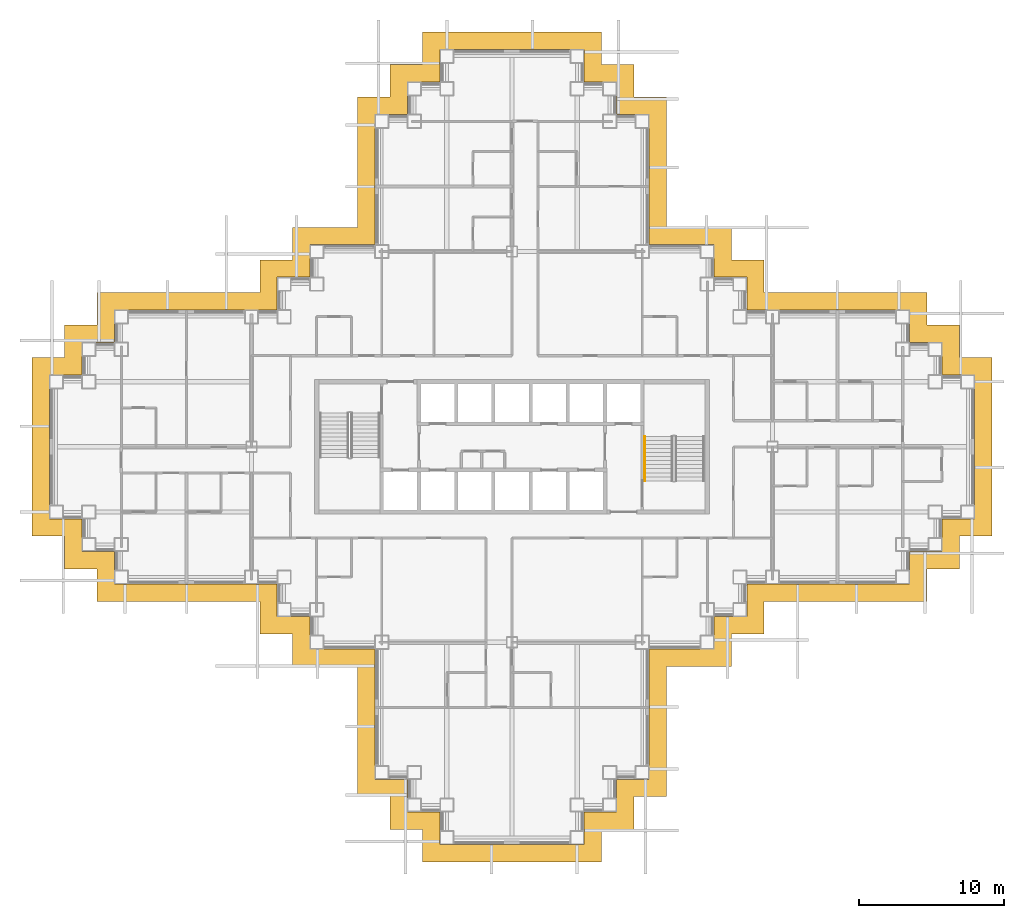
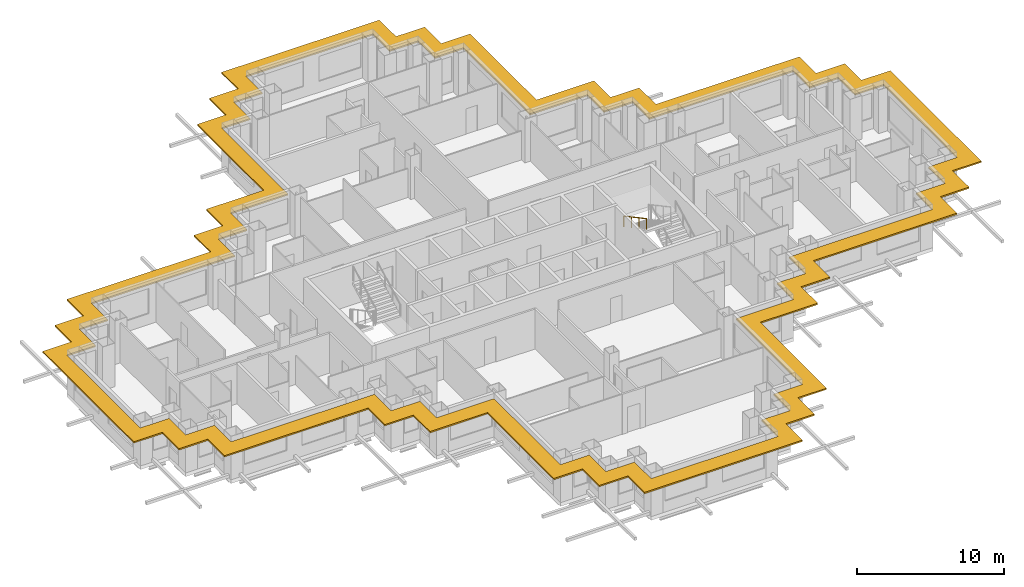
# One storey, part 14 of 15: 1 railing, 1 shading device.
"""IFC4 building model written with IfcOpenShell, lengths in metres."""

import ifcopenshell
import ifcopenshell.guid

model = None  # the IFC model being written
_history = None  # IfcOwnerHistory: only IFC2X3 demands one
_inside = {}  # id of a spatial element -> (the spatial element, [elements in it])
_under = {}  # id of a project, library or spatial element -> (it, [spatial elements below it])
_declared = {}  # id of a project -> (the project, [libraries it declares])
_typed = {}  # id of a type object -> (the type object, [elements of that type])
_made_of = {}  # id of a material, layer set ... -> (it, [elements and type objects made of it])


def new_model(schema):
    """Start an empty IFC model of exactly this schema.

    Asked for "IFC4X3", IfcOpenShell would pick the latest addendum, in which some entities
    have other attributes; the version numbers below select the first issue.
    IFC2X3 requires an IfcOwnerHistory on every rooted entity: one is made here for all.
    """
    global model, _history
    if schema == "IFC4X3":
        model = ifcopenshell.file(schema_version=(4, 3, 0, 0))
    else:
        model = ifcopenshell.file(schema=schema)
    _inside.clear()
    _under.clear()
    _declared.clear()
    _typed.clear()
    _made_of.clear()
    _history = None
    if model.schema == "IFC2X3":
        org = make("IfcOrganization", Name="unknown")
        user = make(
            "IfcPersonAndOrganization",
            ThePerson=make("IfcPerson", FamilyName="unknown"),
            TheOrganization=org,
        )
        app = make(
            "IfcApplication",
            ApplicationDeveloper=org,
            Version="unknown",
            ApplicationFullName="unknown",
            ApplicationIdentifier="unknown",
        )
        _history = make(
            "IfcOwnerHistory",
            OwningUser=user,
            OwningApplication=app,
            ChangeAction="ADDED",
            CreationDate=0,
        )
    return model


def make(cls, **values):
    """One entity of the class cls with the attributes given. An attribute that is None is left unset."""
    return model.create_entity(
        cls, **{name: value for name, value in values.items() if value is not None}
    )


def rooted(cls, **values):
    """An entity with a GlobalId (a new one), such as an element, a storey or a relation."""
    return make(cls, GlobalId=ifcopenshell.guid.new(), OwnerHistory=_history, **values)


def si_unit(unit_type, name, prefix=None):
    """IfcSIUnit, for example si_unit("LENGTHUNIT", "METRE", prefix="MILLI")."""
    return make("IfcSIUnit", UnitType=unit_type, Prefix=prefix, Name=name)


def assignment(units):
    """IfcUnitAssignment: the units of a project."""
    return None if units is None else make("IfcUnitAssignment", Units=units)


def point(xyz):
    """IfcCartesianPoint."""
    return None if xyz is None else make("IfcCartesianPoint", Coordinates=xyz)


def direction(xyz):
    """IfcDirection."""
    return None if xyz is None else make("IfcDirection", DirectionRatios=xyz)


def frame(location, z_axis=None, x_axis=None):
    """IfcAxis2Placement3D, a coordinate frame: its origin and axes. An axis left out is left unset."""
    return make(
        "IfcAxis2Placement3D",
        Location=point(location),
        Axis=direction(z_axis),
        RefDirection=direction(x_axis),
    )


def frame_2d(location, x_axis=None):
    """IfcAxis2Placement2D, a coordinate frame in the plane: its origin and x axis."""
    return make(
        "IfcAxis2Placement2D", Location=point(location), RefDirection=direction(x_axis)
    )


def origin():
    """The frame at (0, 0, 0) with its axes left unset."""
    return frame((0.0, 0.0, 0.0))


def origin_2d():
    """The frame at (0, 0) in the plane with its x axis left unset."""
    return frame_2d((0.0, 0.0))


def place(relative_to, where):
    """IfcLocalPlacement: puts the frame where relative to a parent placement (None: the world)."""
    return make(
        "IfcLocalPlacement", PlacementRelTo=relative_to, RelativePlacement=where
    )


def context(
    kind, dimensions, precision=None, world=None, true_north=None, identifier=None
):
    """IfcGeometricRepresentationContext, for example the 3D "Model" context."""
    return make(
        "IfcGeometricRepresentationContext",
        ContextIdentifier=identifier,
        ContextType=kind,
        CoordinateSpaceDimension=dimensions,
        Precision=precision,
        WorldCoordinateSystem=world,
        TrueNorth=true_north,
    )


def subcontext(parent, identifier, kind, view, scale=None):
    """IfcGeometricRepresentationSubContext, for example "Body" below "Model"."""
    return make(
        "IfcGeometricRepresentationSubContext",
        ContextIdentifier=identifier,
        ContextType=kind,
        ParentContext=parent,
        TargetScale=scale,
        TargetView=view,
    )


def project(units=None, contexts=None):
    """IfcProject with its units and contexts."""
    return rooted(
        "IfcProject",
        Name="project",
        RepresentationContexts=contexts,
        UnitsInContext=assignment(units),
    )


def spatial(cls, under=None, at=None, **own):
    """A site, building, storey or space (cls), placed at a placement, below another one or the project."""
    s = rooted(cls, ObjectPlacement=at, **own)
    if under is not None:
        _under.setdefault(under.id(), (under, []))[1].append(s)
    return s


def polyline(points):
    """IfcPolyline through the points."""
    return make("IfcPolyline", Points=[point(p) for p in points])


def profile(cls, at=None, kind="AREA", **sizes):
    """A parametric profile (cls). Its sizes go by their IFC names, for example OverallWidth=200.0."""
    return make(cls, ProfileType=kind, Position=at, **sizes)


def circle(**sizes):
    """IfcCircleProfileDef."""
    return profile("IfcCircleProfileDef", **sizes)


def outline(outer, holes=None, kind="AREA"):
    """IfcArbitraryClosedProfileDef: a profile drawn as a closed curve; with holes, ...WithVoids."""
    if holes is None:
        return make("IfcArbitraryClosedProfileDef", ProfileType=kind, OuterCurve=outer)
    return make(
        "IfcArbitraryProfileDefWithVoids",
        ProfileType=kind,
        OuterCurve=outer,
        InnerCurves=holes,
    )


def extrude(swept, where, along, depth):
    """IfcExtrudedAreaSolid: the profile swept, set in the frame where, extruded along a direction by depth."""
    return make(
        "IfcExtrudedAreaSolid",
        SweptArea=swept,
        Position=where,
        ExtrudedDirection=direction(along),
        Depth=depth,
    )


def shape(context_of_items, identifier, shape_type, items):
    """IfcShapeRepresentation: the items that make up one representation, for example the "Body"."""
    return make(
        "IfcShapeRepresentation",
        ContextOfItems=context_of_items,
        RepresentationIdentifier=identifier,
        RepresentationType=shape_type,
        Items=items,
    )


def material(Name=None, Category=None):
    """IfcMaterial."""
    return make("IfcMaterial", Name=Name, Category=Category)


def layer(
    of_material, thickness, ventilated=None, Name=None, Category=None, Priority=None
):
    """IfcMaterialLayer: one layer of a wall or slab, of a material (None: an air gap)."""
    return make(
        "IfcMaterialLayer",
        Material=of_material,
        LayerThickness=thickness,
        IsVentilated=ventilated,
        Name=Name,
        Category=Category,
        Priority=Priority,
    )


def layer_set(layers, Name=None):
    """IfcMaterialLayerSet."""
    return make("IfcMaterialLayerSet", MaterialLayers=layers, LayerSetName=Name)


def made_of(thing, what):
    """Note that an element or type object is made of a material, layer set ...; save() writes the relation."""
    if what is not None:
        _made_of.setdefault(what.id(), (what, []))[1].append(thing)
    return thing


def type_object(cls, material=None, **own):
    """A type object (cls), such as IfcWallType, which elements share."""
    return made_of(rooted(cls, **own), material)


def element(
    cls,
    number,
    at=None,
    inside=None,
    cuts=None,
    type_object=None,
    material=None,
    context=None,
    identifier="Body",
    shape_type=None,
    held_by="IfcProductDefinitionShape",
    body=None,
    shapes=None,
    **own,
):
    """One element of the class cls, such as IfcWall. Its Tag is "e" and its number.

    at: its placement. inside: the storey or other place that contains it. cuts: it is an
    opening in that element (IfcRelVoidsElement). A single representation is given by context,
    identifier, shape_type and body (its items); several are given by shapes. held_by: the class
    of the entity that holds the representations. save() writes the other relations.
    """
    e = rooted(cls, Tag="e%d" % number, ObjectPlacement=at, **own)
    if body is not None:
        shapes = [shape(context, identifier, shape_type, body)]
    if shapes is not None:
        e.Representation = make(held_by, Representations=shapes)
    if inside is not None:
        _inside.setdefault(inside.id(), (inside, []))[1].append(e)
    if cuts is not None:
        rooted(
            "IfcRelVoidsElement", RelatingBuildingElement=cuts, RelatedOpeningElement=e
        )
    if type_object is not None:
        _typed.setdefault(type_object.id(), (type_object, []))[1].append(e)
    return made_of(e, material)


def aggregate(whole, parts):
    """IfcRelAggregates: a whole, such as a stair, and the parts it consists of."""
    return rooted("IfcRelAggregates", RelatingObject=whole, RelatedObjects=parts)


def save(model, path):
    """Write the relations noted so far, then the file.

    IfcRelAggregates (storeys below a building ...), IfcRelContainedInSpatialStructure (elements
    in a storey), IfcRelDefinesByType, IfcRelAssociatesMaterial and IfcRelDeclares: one each for
    every whole, place, type object, material and project.
    """
    for whole, parts in _under.values():
        aggregate(whole, parts)
    for where, things in _inside.values():
        rooted(
            "IfcRelContainedInSpatialStructure",
            RelatedElements=things,
            RelatingStructure=where,
        )
    for kind, things in _typed.values():
        rooted("IfcRelDefinesByType", RelatedObjects=things, RelatingType=kind)
    for what, things in _made_of.values():
        rooted("IfcRelAssociatesMaterial", RelatedObjects=things, RelatingMaterial=what)
    for by, libraries in _declared.values():
        rooted("IfcRelDeclares", RelatingContext=by, RelatedDefinitions=libraries)
    model.write(path)


model = new_model("IFC4")

# Units and contexts
model_context = context("Model", 3, precision=1e-05, world=origin(), true_north=direction((0.0, 1.0)))
body_context = subcontext(model_context, "Body", "Model", "MODEL_VIEW")
ifc_project = project(units=[si_unit("LENGTHUNIT", "METRE"), si_unit("AREAUNIT", "SQUARE_METRE"), si_unit("VOLUMEUNIT", "CUBIC_METRE"), si_unit("PLANEANGLEUNIT", "RADIAN"), si_unit("MASSUNIT", "GRAM", prefix="KILO")], contexts=[model_context])

# Site, building, storey
site_placement = place(None, origin())
site = spatial("IfcSite", under=ifc_project, at=site_placement, CompositionType="ELEMENT")
building_placement = place(site_placement, origin())
building = spatial("IfcBuilding", under=site, at=building_placement, Name="Caravel Reach Hotel and Residences", CompositionType="ELEMENT")
storey_placement = place(building_placement, frame((0.0, 0.0, 81.60009765625)))
storey = spatial("IfcBuildingStorey", under=building, at=storey_placement, Name="L19", CompositionType="ELEMENT", Elevation=81.60009765625)

# Railing
ifc_material_1 = material(Name="Stainless steel handrail", Category="steel")
railing_type = type_object("IfcRailingType", Name="Handrail 900", PredefinedType="HANDRAIL", material=ifc_material_1)
railing_placement = place(storey_placement, frame((40.675048828125, 27.72998046875, 1.949951171875)))
element("IfcRailing", 1, at=railing_placement, inside=storey, type_object=railing_type, Name="L19 ST-B stair handrail 2", PredefinedType="HANDRAIL", context=body_context, shape_type="SweptSolid", body=[
    extrude(circle(Radius=0.02392578125, at=origin_2d()), frame((0.0, 0.0, 0.8759765625), z_axis=(0.0, -0.881496589024, 0.472190389079), x_axis=(1.0, 0.0, 0.0)), (0.0, 0.0, 1.0), 3.494140625),
    extrude(circle(Radius=0.02099609375, at=origin_2d()), origin(), (0.0, 0.0, 1.0), 0.851806640625),
    extrude(circle(Radius=0.02099609375, at=origin_2d()), frame((0.0, -1.026611328125, 0.550048828125)), (0.0, 0.0, 1.0), 0.851806640625),
    extrude(circle(Radius=0.02099609375, at=origin_2d()), frame((0.0, -2.053466796875, 1.099853515625)), (0.0, 0.0, 1.0), 0.851806640625),
    extrude(circle(Radius=0.02099609375, at=origin_2d()), frame((0.0, -3.080078125, 1.64990234375)), (0.0, 0.0, 1.0), 0.851806640625),
])

# Shading device
ifc_material_2 = material(Name="Black powder-coated aluminium", Category="aluminium")
ifc_layer = layer(ifc_material_2, 0.1201171875)
ifc_layer_set = layer_set([ifc_layer], Name="SS1 Sunshade band 1200")
shading_device_type = type_object("IfcShadingDeviceType", Name="SS1 Sunshade band 1200", PredefinedType="USERDEFINED", material=ifc_layer_set)
shading_device_placement = place(storey_placement, frame((0.0, 0.0, 3.039794921875)))
element("IfcShadingDevice", 2, at=shading_device_placement, inside=storey, type_object=shading_device_type, Name="Sunshade L19 1", ObjectType="SUNSHADE", PredefinedType="USERDEFINED", context=body_context, shape_type="SweptSolid", body=[
    extrude(outline(polyline([(20.824951171875, 11.824951171875), (20.824951171875, 2.824951171875), (23.074951171875, 2.824951171875), (23.074951171875, 0.574951171875), (25.324951171875, 0.574951171875), (25.324951171875, -1.675048828125), (37.675048828125, -1.675048828125), (37.675048828125, 0.574951171875), (39.925048828125, 0.574951171875), (39.925048828125, 2.824951171875), (42.175048828125, 2.824951171875), (42.175048828125, 11.824951171875), (46.675048828125, 11.824951171875), (46.675048828125, 14.074951171875), (48.925048828125, 14.074951171875), (48.925048828125, 16.324951171875), (60.175048828125, 16.324951171875), (60.175048828125, 18.574951171875), (62.425048828125, 18.574951171875), (62.425048828125, 20.824951171875), (64.675048828125, 20.824951171875), (64.675048828125, 33.175048828125), (62.425048828125, 33.175048828125), (62.425048828125, 35.425048828125), (60.175048828125, 35.425048828125), (60.175048828125, 37.675048828125), (48.925048828125, 37.675048828125), (48.925048828125, 39.925048828125), (46.675048828125, 39.925048828125), (46.675048828125, 42.175048828125), (42.175048828125, 42.175048828125), (42.175048828125, 51.175048828125), (39.925048828125, 51.175048828125), (39.925048828125, 53.425048828125), (37.675048828125, 53.425048828125), (37.675048828125, 55.675048828125), (25.324951171875, 55.675048828125), (25.324951171875, 53.425048828125), (23.074951171875, 53.425048828125), (23.074951171875, 51.175048828125), (20.824951171875, 51.175048828125), (20.824951171875, 42.175048828125), (16.324951171875, 42.175048828125), (16.324951171875, 39.925048828125), (14.074951171875, 39.925048828125), (14.074951171875, 37.675048828125), (2.824951171875, 37.675048828125), (2.824951171875, 35.425048828125), (0.574951171875, 35.425048828125), (0.574951171875, 33.175048828125), (-1.675048828125, 33.175048828125), (-1.675048828125, 20.824951171875), (0.574951171875, 20.824951171875), (0.574951171875, 18.574951171875), (2.824951171875, 18.574951171875), (2.824951171875, 16.324951171875), (14.074951171875, 16.324951171875), (14.074951171875, 14.074951171875), (16.324951171875, 14.074951171875), (16.324951171875, 11.824951171875), (20.824951171875, 11.824951171875)]), holes=[polyline([(24.27490234375, 4.02490234375), (22.02490234375, 4.02490234375), (22.02490234375, 13.02490234375), (17.52490234375, 13.02490234375), (17.52490234375, 15.27490234375), (15.27490234375, 15.27490234375), (15.27490234375, 17.52490234375), (4.02490234375, 17.52490234375), (4.02490234375, 19.77490234375), (1.77490234375, 19.77490234375), (1.77490234375, 22.02490234375), (-0.47509765625, 22.02490234375), (-0.47509765625, 31.97509765625), (1.77490234375, 31.97509765625), (1.77490234375, 34.22509765625), (4.02490234375, 34.22509765625), (4.02490234375, 36.47509765625), (15.27490234375, 36.47509765625), (15.27490234375, 38.72509765625), (17.52490234375, 38.72509765625), (17.52490234375, 40.97509765625), (22.02490234375, 40.97509765625), (22.02490234375, 49.97509765625), (24.27490234375, 49.97509765625), (24.27490234375, 52.22509765625), (26.52490234375, 52.22509765625), (26.52490234375, 54.47509765625), (36.47509765625, 54.47509765625), (36.47509765625, 52.22509765625), (38.72509765625, 52.22509765625), (38.72509765625, 49.97509765625), (40.97509765625, 49.97509765625), (40.97509765625, 40.97509765625), (45.47509765625, 40.97509765625), (45.47509765625, 38.72509765625), (47.72509765625, 38.72509765625), (47.72509765625, 36.47509765625), (58.97509765625, 36.47509765625), (58.97509765625, 34.22509765625), (61.22509765625, 34.22509765625), (61.22509765625, 31.97509765625), (63.47509765625, 31.97509765625), (63.47509765625, 22.02490234375), (61.22509765625, 22.02490234375), (61.22509765625, 19.77490234375), (58.97509765625, 19.77490234375), (58.97509765625, 17.52490234375), (47.72509765625, 17.52490234375), (47.72509765625, 15.27490234375), (45.47509765625, 15.27490234375), (45.47509765625, 13.02490234375), (40.97509765625, 13.02490234375), (40.97509765625, 4.02490234375), (38.72509765625, 4.02490234375), (38.72509765625, 1.77490234375), (36.47509765625, 1.77490234375), (36.47509765625, -0.47509765625), (26.52490234375, -0.47509765625), (26.52490234375, 1.77490234375), (24.27490234375, 1.77490234375), (24.27490234375, 4.02490234375)])]), origin(), (0.0, 0.0, 1.0), 0.1201171875),
])

save(model, "model.ifc")
